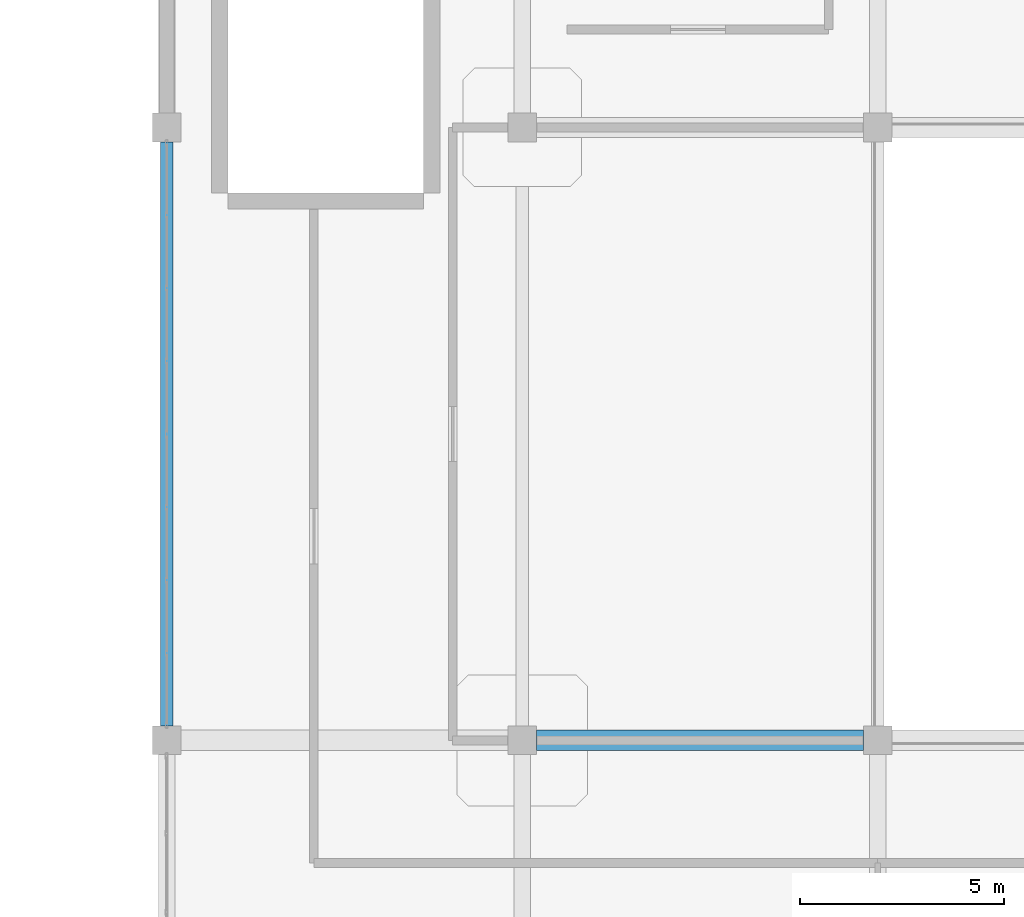
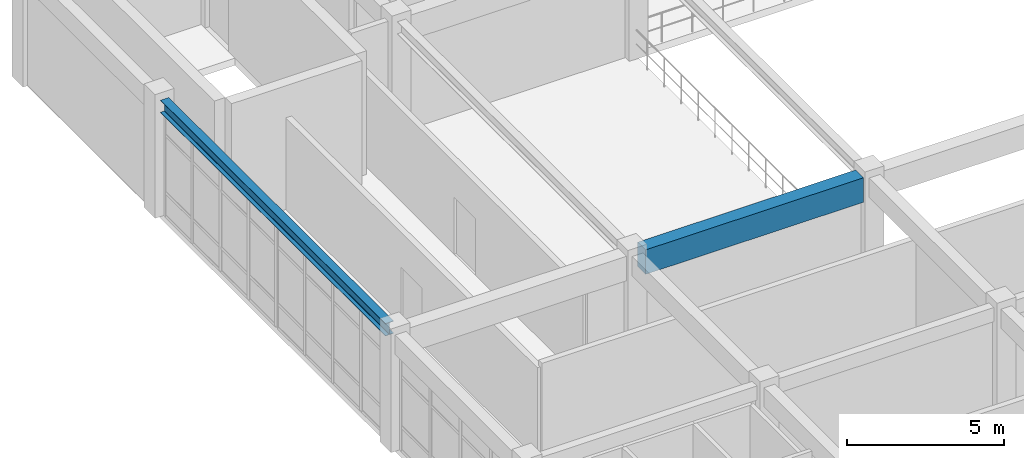
# One storey, part 19 of 64: 2 beams.
"""IFC4 building model written with IfcOpenShell, lengths in metres."""

from ifc_helpers import new_model, si_unit, derived_unit, direction, frame, origin, origin_2d, place, context, subcontext, project, spatial, rectangle, i_section, extrude, material, material_profile, profile_set, type_object, element, save


model = new_model("IFC4")

# Units and contexts
model_context = context("Model", 3, precision=1e-05, world=origin(), true_north=direction((0.0, 1.0)))
body_context = subcontext(model_context, "Body", "Model", "MODEL_VIEW")
ifc_project = project(units=[si_unit("LENGTHUNIT", "METRE"), si_unit("AREAUNIT", "SQUARE_METRE"), si_unit("VOLUMEUNIT", "CUBIC_METRE"), si_unit("PLANEANGLEUNIT", "RADIAN"), si_unit("MASSUNIT", "GRAM", prefix="KILO"), derived_unit("THERMALTRANSMITTANCEUNIT", [(si_unit("MASSUNIT", "GRAM", prefix="KILO"), 1), (si_unit("TIMEUNIT", "SECOND"), -3), (si_unit("THERMODYNAMICTEMPERATUREUNIT", "KELVIN"), -1)])], contexts=[model_context])

# Site, building, storey
site_placement = place(None, origin())
site = spatial("IfcSite", under=ifc_project, at=site_placement, CompositionType="ELEMENT")
building_placement = place(site_placement, origin())
building = spatial("IfcBuilding", under=site, at=building_placement, Name="Qinzheling Arcade Emporium", CompositionType="ELEMENT")
storey_placement = place(building_placement, frame((0.0, 0.0, 31.5)))
storey = spatial("IfcBuildingStorey", under=building, at=storey_placement, Name="L07", CompositionType="ELEMENT", Elevation=31.5)

# Beams
ifc_material_1 = material(Name="Structural steel Q355B", Category="steel")
ifc_material_profile_1 = material_profile(ifc_material_1, i_section(OverallWidth=0.300048828125, OverallDepth=0.488037109375, WebThickness=0.010986328125, FlangeThickness=0.01806640625, FilletRadius=0.02197265625, at=origin_2d()), Name="HM 488x300x11x18", Category="steel")
ifc_profile_set_1 = profile_set([ifc_material_profile_1], Name="Structural steel Q355B")
beam_type_1 = type_object("IfcBeamType", Name="Atrium Bridge Girder HM488 Q355B", PredefinedType="USERDEFINED", material=ifc_profile_set_1)
beam_1_placement = place(storey_placement, frame((34.800048828125, 50.75, 4.27587890625), z_axis=(0.0, 1.0, 0.0), x_axis=(-1.0, 0.0, 0.0)))
element("IfcBeam", 1, at=beam_1_placement, inside=storey, type_object=beam_type_1, Name="Beam BM-L07-Y-5-G", ObjectType="TRANSFER_GIRDER", PredefinedType="USERDEFINED", context=body_context, shape_type="SweptSolid", body=[
    extrude(i_section(OverallWidth=0.300048828125, OverallDepth=0.488037109375, WebThickness=0.010986328125, FlangeThickness=0.01806640625, FilletRadius=0.02197265625, at=origin_2d()), origin(), (0.0, 0.0, 1.0), 14.300048828125),
])
ifc_material_2 = material(Name="Concrete C40", Category="concrete")
ifc_material_profile_2 = material_profile(ifc_material_2, rectangle(XDim=0.5, YDim=0.949951171875, at=origin_2d()), Name="RC 500x950", Category="concrete")
ifc_profile_set_2 = profile_set([ifc_material_profile_2], Name="Concrete C40")
beam_type_2 = type_object("IfcBeamType", Name="RC Vault Ring Beam 500x950 C40", PredefinedType="BEAM", material=ifc_profile_set_2)
beam_2_placement = place(storey_placement, frame((43.85009765625, 50.39990234375, 4.044921875), z_axis=(1.0, 0.0, 0.0), x_axis=(0.0, 1.0, 0.0)))
element("IfcBeam", 2, at=beam_2_placement, inside=storey, type_object=beam_type_2, Name="Beam BM-L07-X-G-6", PredefinedType="BEAM", context=body_context, shape_type="SweptSolid", body=[
    extrude(rectangle(XDim=0.5, YDim=0.949951171875, at=origin_2d()), origin(), (0.0, 0.0, 1.0), 8.0),
])

save(model, "model.ifc")
